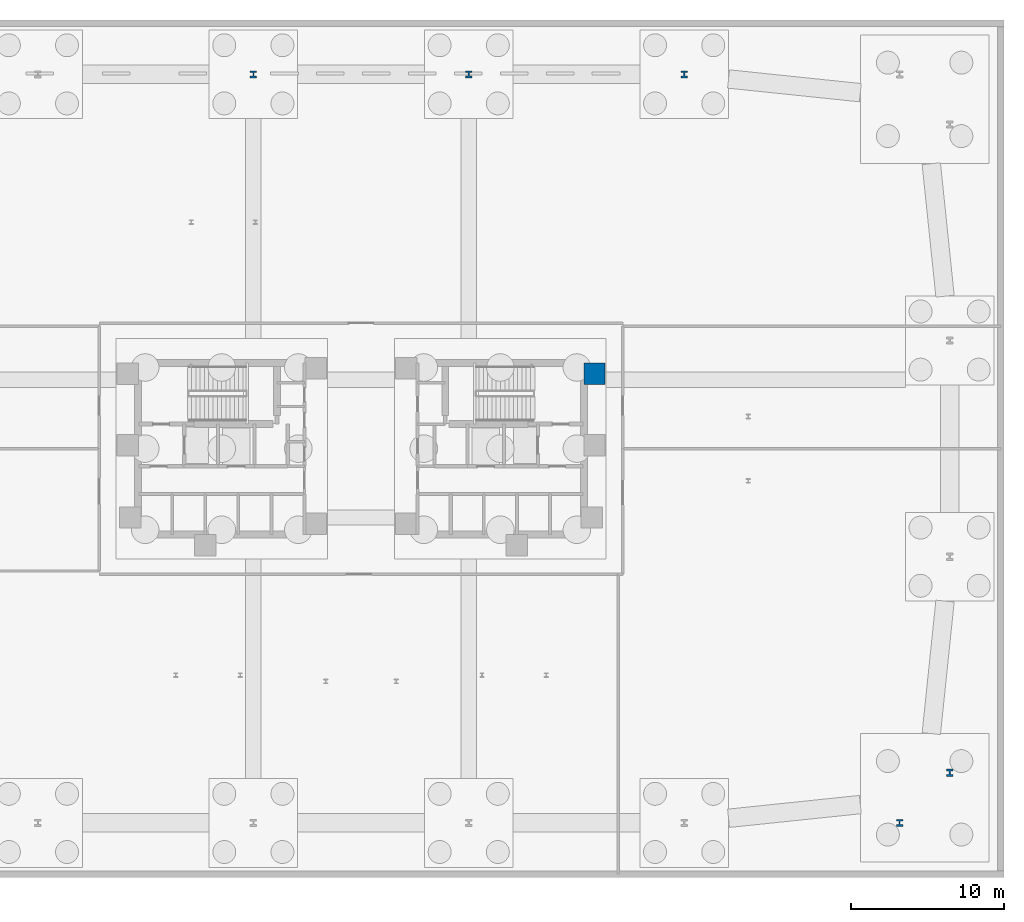
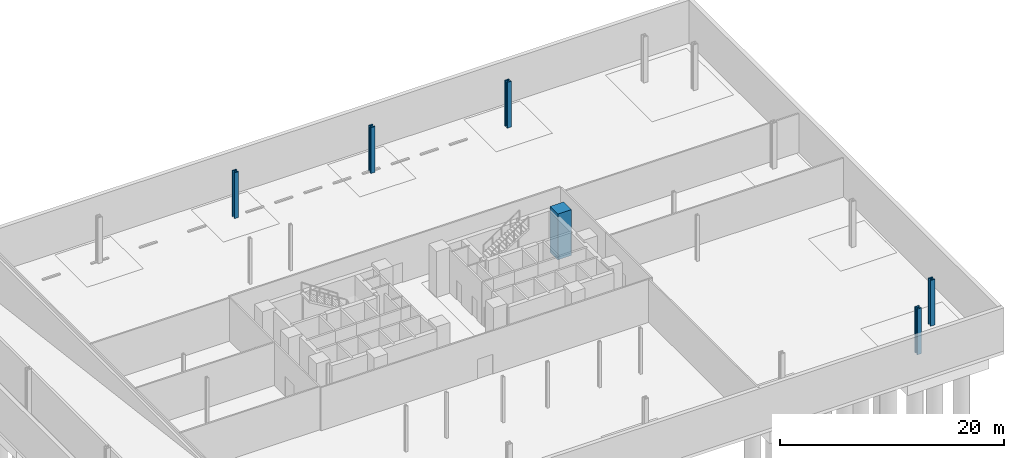
# One storey, part 8 of 16: 6 columns.
"""IFC4 building model written with IfcOpenShell, lengths in metres."""

from ifc_helpers import new_model, si_unit, direction, frame, origin, origin_2d, place, context, subcontext, project, spatial, rectangle, i_section, extrude, material, material_profile, profile_set, type_object, element, save


model = new_model("IFC4")

# Units and contexts
model_context = context("Model", 3, precision=1e-05, world=origin(), true_north=direction((0.0, 1.0)))
body_context = subcontext(model_context, "Body", "Model", "MODEL_VIEW")
ifc_project = project(units=[si_unit("LENGTHUNIT", "METRE"), si_unit("AREAUNIT", "SQUARE_METRE"), si_unit("VOLUMEUNIT", "CUBIC_METRE"), si_unit("PLANEANGLEUNIT", "RADIAN"), si_unit("MASSUNIT", "GRAM", prefix="KILO")], contexts=[model_context])

# Site, building, storey
site_placement = place(None, origin())
site = spatial("IfcSite", under=ifc_project, at=site_placement, CompositionType="ELEMENT")
building_placement = place(site_placement, origin())
building = spatial("IfcBuilding", under=site, at=building_placement, Name="Menara Jurai Vektor", CompositionType="ELEMENT")
storey_placement = place(building_placement, frame((0.0, 0.0, -5.0)))
storey = spatial("IfcBuildingStorey", under=building, at=storey_placement, Name="B1", CompositionType="ELEMENT", Elevation=-5.0)

# Columns
ifc_material_1 = material(Name="Concrete C60/75", Category="concrete")
ifc_material_profile_1 = material_profile(ifc_material_1, rectangle(XDim=1.39990234375, YDim=1.39990234375, at=origin_2d()), Name="RC 1400x1400")
ifc_profile_set_1 = profile_set([ifc_material_profile_1], Name="Concrete C60/75")
column_type_1 = type_object("IfcColumnType", Name="STR-COL-RC1400", PredefinedType="COLUMN", material=ifc_profile_set_1)
column_placement = place(storey_placement, frame((15.25, 4.89990234375, 0.0), z_axis=(0.0, 0.0, 1.0), x_axis=(1.0, 0.0, 0.0)))
element("IfcColumn", 1, at=column_placement, inside=storey, type_object=column_type_1, Name="Core Spine Column CE-NE B1", PredefinedType="COLUMN", context=body_context, shape_type="SweptSolid", body=[
    extrude(rectangle(XDim=1.39990234375, YDim=1.39990234375, at=origin_2d()), origin(), (0.0, 0.0, 1.0), 5.0),
])
ifc_material_2 = material(Name="Steel S460", Category="steel")
ifc_material_profile_2 = material_profile(ifc_material_2, i_section(OverallWidth=0.427978515625, OverallDepth=0.468994140625, WebThickness=0.077880859375, FlangeThickness=0.125, FilletRadius=0.014892578125, at=origin_2d()), Name="HD 400x1086")
ifc_profile_set_2 = profile_set([ifc_material_profile_2], Name="Steel S460")
column_type_2 = type_object("IfcColumnType", Name="STR-PILOTIS-HD1086", PredefinedType="USERDEFINED", material=ifc_profile_set_2)
for number, where, z_axis, x_axis, name in (
    (2, (35.177734375, -24.449951171875, 0.0), (0.0, 0.0, 1.0), (1.0, 0.0, 0.0), "Open Pilotis Stilt Column PLT-S6 B1"),
    (3, (38.449951171875, -21.177734375, 0.0), (0.0, 0.0, 1.0), (1.0, 0.0, 0.0), "Open Pilotis Stilt Column PLT-E1 B1"),
    (4, (21.106689453125, 24.449951171875, 0.0), (0.0, 0.0, 1.0), (1.0, 0.0, 0.0), "Open Pilotis Stilt Column PLT-N2 B1"),
    (5, (7.03564453125, 24.449951171875, 0.0), (0.0, 0.0, 1.0), (1.0, 0.0, 0.0), "Open Pilotis Stilt Column PLT-N3 B1"),
    (6, (-7.03564453125, 24.449951171875, 0.0), (0.0, 0.0, 1.0), (1.0, 0.0, 0.0), "Open Pilotis Stilt Column PLT-N4 B1"),
):
    element("IfcColumn", number, at=place(storey_placement, frame(where, z_axis=z_axis, x_axis=x_axis)), inside=storey, type_object=column_type_2, Name=name, ObjectType="PILOTIS", PredefinedType="USERDEFINED", context=body_context, shape_type="SweptSolid", body=[
        extrude(i_section(OverallWidth=0.427978515625, OverallDepth=0.468994140625, WebThickness=0.077880859375, FlangeThickness=0.125, FilletRadius=0.014892578125, at=origin_2d()), origin(), (0.0, 0.0, 1.0), 5.0),
    ])

save(model, "model.ifc")
